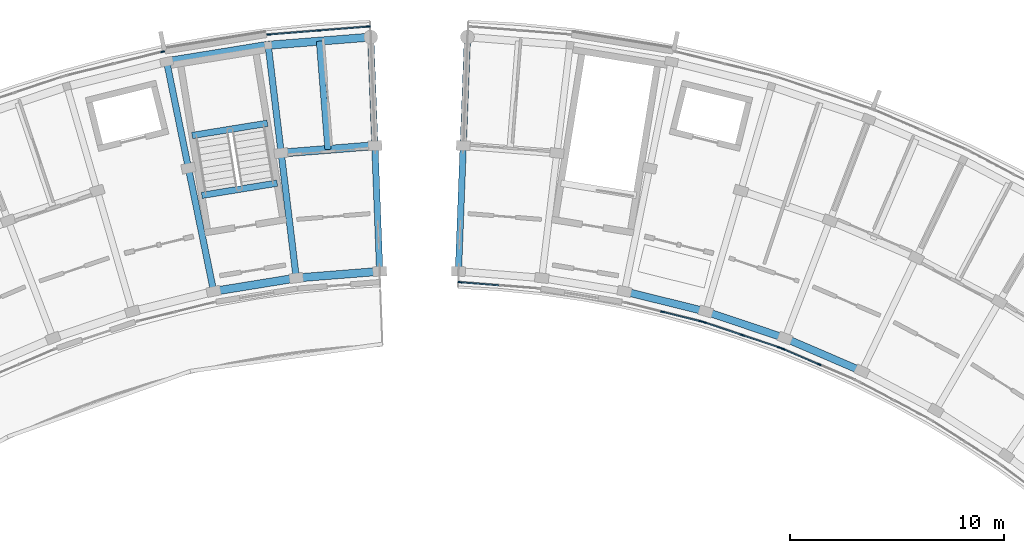
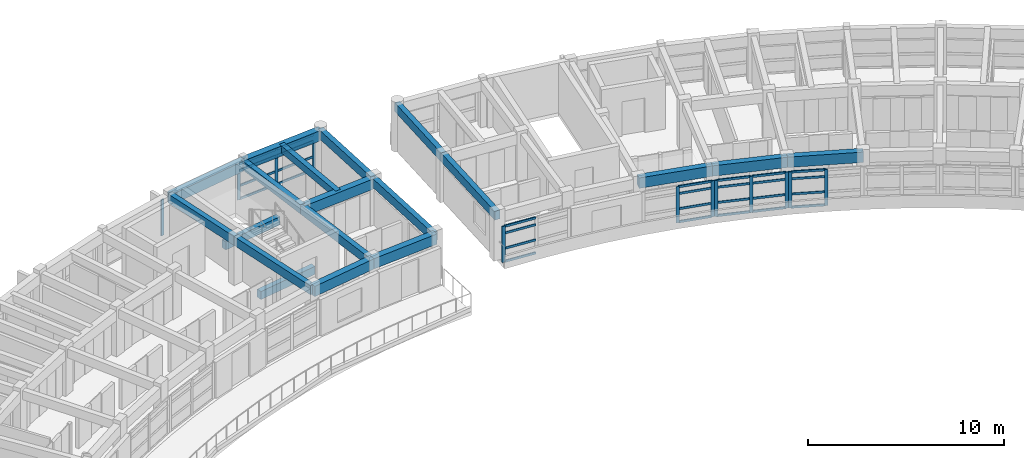
# One storey, part 5 of 23: 40 members, 19 beams, 6 elements without a shape of their own.
"""IFC4 building model written with IfcOpenShell, lengths in metres."""

from ifc_helpers import new_model, si_unit, direction, frame, origin, origin_2d, place, context, subcontext, project, spatial, rectangle, extrude, material, material_profile, profile_set, type_object, element, aggregate, save


model = new_model("IFC4")

# Units and contexts
model_context = context("Model", 3, precision=1e-05, world=origin(), true_north=direction((0.0, 1.0)))
body_context = subcontext(model_context, "Body", "Model", "MODEL_VIEW")
ifc_project = project(units=[si_unit("LENGTHUNIT", "METRE"), si_unit("AREAUNIT", "SQUARE_METRE"), si_unit("VOLUMEUNIT", "CUBIC_METRE"), si_unit("PLANEANGLEUNIT", "RADIAN"), si_unit("MASSUNIT", "GRAM", prefix="KILO")], contexts=[model_context])

# Site, building, storey
site_placement = place(None, origin())
site = spatial("IfcSite", under=ifc_project, at=site_placement, CompositionType="ELEMENT")
building_placement = place(site_placement, origin())
building = spatial("IfcBuilding", under=site, at=building_placement, Name="Zimvara Arc Housing Community", CompositionType="ELEMENT")
storey_placement = place(building_placement, frame((0.0, 0.0, 36.0)))
storey = spatial("IfcBuildingStorey", under=building, at=storey_placement, Name="L11", CompositionType="ELEMENT", Elevation=36.0)

# Beams
ifc_material_1 = material(Name="Concrete C40/50", Category="concrete")
ifc_material_profile_1 = material_profile(ifc_material_1, rectangle(XDim=0.300048828125, YDim=0.449951171875, at=origin_2d()), Name="RC 300x450")
ifc_profile_set_1 = profile_set([ifc_material_profile_1], Name="Concrete C40/50")
beam_type_1 = type_object("IfcBeamType", Name="BM-RC-300x450", PredefinedType="JOIST", material=ifc_profile_set_1)
beam_1_placement = place(storey_placement, frame((40.7451171875, 98.08642578125, 2.64501953125), z_axis=(-0.079171686291, 0.99686099537, 0.0), x_axis=(-0.99686099537, -0.079171686291, 0.0)))
element("IfcBeam", 1, at=beam_1_placement, inside=storey, type_object=beam_type_1, Name="bm:blkA:L11:joist:b9", PredefinedType="JOIST", context=body_context, shape_type="SweptSolid", body=[
    extrude(rectangle(XDim=0.300048828125, YDim=0.449951171875, at=origin_2d()), origin(), (0.0, 0.0, 1.0), 5.07568359375),
])
ifc_material_2 = material(Name="Concrete C40/50", Category="concrete")
ifc_material_profile_2 = material_profile(ifc_material_2, rectangle(XDim=0.300048828125, YDim=0.5, at=origin_2d()), Name="RC 300x500")
ifc_profile_set_2 = profile_set([ifc_material_profile_2], Name="Concrete C40/50")
beam_type_2 = type_object("IfcBeamType", Name="BM-RC-300x500", PredefinedType="BEAM", material=ifc_profile_set_2)
for number, where, z_axis, x_axis, name in (
    (2, (38.3662109375, 96.509033203125, -0.25), (-0.987080057935, -0.160227835371, 0.0), (0.160227835371, -0.987080057935, 0.0), "bm:stair_trim:ST-A2:L11:near"),
    (3, (37.911865234375, 99.307373046875, 1.300048828125), (-0.987080057935, -0.160227835371, 0.0), (0.160227835371, -0.987080057935, 0.0), "bm:stair_trim:ST-A2:L11:mid"),
):
    element("IfcBeam", number, at=place(storey_placement, frame(where, z_axis=z_axis, x_axis=x_axis)), inside=storey, type_object=beam_type_2, Name=name, PredefinedType="BEAM", context=body_context, shape_type="SweptSolid", body=[
        extrude(rectangle(XDim=0.300048828125, YDim=0.5, at=origin_2d()), origin(), (0.0, 0.0, 1.0), 3.570068359375),
    ])
ifc_material_3 = material(Name="Concrete C40/50", Category="concrete")
ifc_material_profile_3 = material_profile(ifc_material_3, rectangle(XDim=0.300048828125, YDim=0.550048828125, at=origin_2d()), Name="RC 300x550")
ifc_profile_set_3 = profile_set([ifc_material_profile_3], Name="Concrete C40/50")
beam_type_3 = type_object("IfcBeamType", Name="BM-RC-300x550", PredefinedType="BEAM", material=ifc_profile_set_3)
beam_2_placement = place(storey_placement, frame((35.397216796875, 91.447998046875, 2.594970703125), z_axis=(-0.200417973989, 0.979710485655, 0.0), x_axis=(-0.979710485655, -0.200417973989, 0.0)))
element("IfcBeam", 4, at=beam_2_placement, inside=storey, type_object=beam_type_3, Name="bm:blkA:L11:rad:b8:r12", PredefinedType="BEAM", context=body_context, shape_type="SweptSolid", body=[
    extrude(rectangle(XDim=0.300048828125, YDim=0.550048828125, at=origin_2d()), origin(), (0.0, 0.0, 1.0), 5.880126953125),
])
beam_3_placement = place(storey_placement, frame((34.21875, 97.208740234375, 2.594970703125), z_axis=(-0.200411962389, 0.97971171542, 0.0), x_axis=(-0.97971171542, -0.200411962389, 0.0)))
element("IfcBeam", 5, at=beam_3_placement, inside=storey, type_object=beam_type_3, Name="bm:blkA:L11:rad:b8:r23", PredefinedType="BEAM", context=body_context, shape_type="SweptSolid", body=[
    extrude(rectangle(XDim=0.300048828125, YDim=0.550048828125, at=origin_2d()), origin(), (0.0, 0.0, 1.0), 5.079833984375),
])
beam_4_placement = place(storey_placement, frame((39.259765625, 92.074951171875, 2.594970703125), z_axis=(-0.119827921695, 0.992794676246, 0.0), x_axis=(-0.992794676246, -0.119827921695, 0.0)))
element("IfcBeam", 6, at=beam_4_placement, inside=storey, type_object=beam_type_3, Name="bm:blkA:L11:rad:b9:r12", PredefinedType="BEAM", context=body_context, shape_type="SweptSolid", body=[
    extrude(rectangle(XDim=0.300048828125, YDim=0.550048828125, at=origin_2d()), origin(), (0.0, 0.0, 1.0), 5.880126953125),
])
beam_5_placement = place(storey_placement, frame((38.55517578125, 97.91259765625, 2.594970703125), z_axis=(-0.119762990499, 0.99280251113, 0.0), x_axis=(-0.99280251113, -0.119762990499, 0.0)))
element("IfcBeam", 7, at=beam_5_placement, inside=storey, type_object=beam_type_3, Name="bm:blkA:L11:rad:b9:r23", PredefinedType="BEAM", context=body_context, shape_type="SweptSolid", body=[
    extrude(rectangle(XDim=0.300048828125, YDim=0.550048828125, at=origin_2d()), origin(), (0.0, 0.0, 1.0), 5.080078125),
])
beam_6_placement = place(storey_placement, frame((43.160400390625, 92.384765625, 2.594970703125), z_axis=(-0.038366147405, 0.999263748333, 0.0), x_axis=(-0.999263748333, -0.038366147405, 0.0)))
element("IfcBeam", 8, at=beam_6_placement, inside=storey, type_object=beam_type_3, Name="bm:blkA:L11:rad:b10:r12", PredefinedType="BEAM", context=body_context, shape_type="SweptSolid", body=[
    extrude(rectangle(XDim=0.300048828125, YDim=0.550048828125, at=origin_2d()), origin(), (0.0, 0.0, 1.0), 5.8798828125),
])
beam_7_placement = place(storey_placement, frame((42.934814453125, 98.26025390625, 2.594970703125), z_axis=(-0.038398054907, 0.999262522753, 0.0), x_axis=(-0.999262522753, -0.038398054907, 0.0)))
element("IfcBeam", 9, at=beam_7_placement, inside=storey, type_object=beam_type_3, Name="bm:blkA:L11:rad:b10:r23", PredefinedType="BEAM", context=body_context, shape_type="SweptSolid", body=[
    extrude(rectangle(XDim=0.300048828125, YDim=0.550048828125, at=origin_2d()), origin(), (0.0, 0.0, 1.0), 5.080078125),
])
beam_8_placement = place(storey_placement, frame((46.839599609375, 92.384765625, 2.64501953125), z_axis=(0.038366147405, 0.999263748333, 0.0), x_axis=(-0.999263748333, 0.038366147405, 0.0)))
element("IfcBeam", 10, at=beam_8_placement, inside=storey, type_object=beam_type_3, Name="bm:blkB:L11:rad:b0:r12", PredefinedType="BEAM", context=body_context, shape_type="SweptSolid", body=[
    extrude(rectangle(XDim=0.300048828125, YDim=0.550048828125, at=origin_2d()), origin(), (0.0, 0.0, 1.0), 5.8798828125),
])
beam_9_placement = place(storey_placement, frame((47.065185546875, 98.26025390625, 2.64501953125), z_axis=(0.038398054907, 0.999262522753, 0.0), x_axis=(-0.999262522753, 0.038398054907, 0.0)))
element("IfcBeam", 11, at=beam_9_placement, inside=storey, type_object=beam_type_3, Name="bm:blkB:L11:rad:b0:r23", PredefinedType="BEAM", context=body_context, shape_type="SweptSolid", body=[
    extrude(rectangle(XDim=0.300048828125, YDim=0.550048828125, at=origin_2d()), origin(), (0.0, 0.0, 1.0), 5.080078125),
])
ifc_material_4 = material(Name="Concrete C40/50", Category="concrete")
ifc_material_profile_4 = material_profile(ifc_material_4, rectangle(XDim=0.35009765625, YDim=0.64990234375, at=origin_2d()), Name="RC 350x650")
ifc_profile_set_4 = profile_set([ifc_material_profile_4], Name="Concrete C40/50")
beam_type_4 = type_object("IfcBeamType", Name="BM-RC-350x650", PredefinedType="BEAM", material=ifc_profile_set_4)
for number, where, z_axis, x_axis, name in (
    (12, (54.602783203125, 91.447998046875, 2.594970703125), (0.970708671682, -0.240259598602, 0.0), (0.240259598602, 0.970708671682, 0.0), "bm:blkB:L11:chord:r1:b2"),
    (13, (58.4013671875, 90.5078125, 2.594970703125), (0.947881689069, -0.31862250945, 0.0), (0.31862250945, 0.947881689069, 0.0), "bm:blkB:L11:chord:r1:b3"),
    (14, (62.110595703125, 89.260986328125, 2.594970703125), (0.91873144242, -0.394882940514, 0.0), (0.394882940514, 0.91873144242, 0.0), "bm:blkB:L11:chord:r1:b4"),
):
    element("IfcBeam", number, at=place(storey_placement, frame(where, z_axis=z_axis, x_axis=x_axis)), inside=storey, type_object=beam_type_4, Name=name, PredefinedType="BEAM", context=body_context, shape_type="SweptSolid", body=[
        extrude(rectangle(XDim=0.35009765625, YDim=0.64990234375, at=origin_2d()), origin(), (0.0, 0.0, 1.0), 3.9130859375),
    ])
ifc_material_5 = material(Name="Concrete C40/50", Category="concrete")
ifc_material_profile_5 = material_profile(ifc_material_5, rectangle(XDim=0.3798828125, YDim=0.639892578125, at=origin_2d()), Name="RC 380x640")
ifc_profile_set_5 = profile_set([ifc_material_profile_5], Name="Concrete C40/50")
beam_type_5 = type_object("IfcBeamType", Name="BM-RC-380x640", PredefinedType="BEAM", material=ifc_profile_set_5)
beam_10_placement = place(storey_placement, frame((35.397216796875, 91.447998046875, 2.550048828125), z_axis=(0.987081487371, 0.160219029111, 0.0), x_axis=(-0.160219029111, 0.987081487371, 0.0)))
element("IfcBeam", 15, at=beam_10_placement, inside=storey, type_object=beam_type_5, Name="bm:blkA:L11:chord:r1:b8", PredefinedType="BEAM", context=body_context, shape_type="SweptSolid", body=[
    extrude(rectangle(XDim=0.3798828125, YDim=0.639892578125, at=origin_2d()), origin(), (0.0, 0.0, 1.0), 3.9130859375),
])
beam_11_placement = place(storey_placement, frame((39.259765625, 92.074951171875, 2.550048828125), z_axis=(0.99686054795, 0.079177319606, 0.0), x_axis=(-0.079177319606, 0.99686054795, 0.0)))
element("IfcBeam", 16, at=beam_11_placement, inside=storey, type_object=beam_type_5, Name="bm:blkA:L11:chord:r1:b9", PredefinedType="BEAM", context=body_context, shape_type="SweptSolid", body=[
    extrude(rectangle(XDim=0.3798828125, YDim=0.639892578125, at=origin_2d()), origin(), (0.0, 0.0, 1.0), 3.912841796875),
])
beam_12_placement = place(storey_placement, frame((38.55517578125, 97.91259765625, 2.550048828125), z_axis=(0.996864209836, 0.079131202119, 0.0), x_axis=(-0.079131202119, 0.996864209836, 0.0)))
element("IfcBeam", 17, at=beam_12_placement, inside=storey, type_object=beam_type_5, Name="bm:blkA:L11:chord:r2:b9", PredefinedType="BEAM", context=body_context, shape_type="SweptSolid", body=[
    extrude(rectangle(XDim=0.3798828125, YDim=0.639892578125, at=origin_2d()), origin(), (0.0, 0.0, 1.0), 4.393310546875),
])
beam_13_placement = place(storey_placement, frame((33.20068359375, 102.185546875, 2.550048828125), z_axis=(0.987076839731, 0.160247659784, 0.0), x_axis=(-0.160247659784, 0.987076839731, 0.0)))
element("IfcBeam", 18, at=beam_13_placement, inside=storey, type_object=beam_type_5, Name="bm:blkA:L11:chord:r3:b8", PredefinedType="BEAM", context=body_context, shape_type="SweptSolid", body=[
    extrude(rectangle(XDim=0.3798828125, YDim=0.639892578125, at=origin_2d()), origin(), (0.0, 0.0, 1.0), 4.808349609375),
])
beam_14_placement = place(storey_placement, frame((37.94677734375, 102.9560546875, 2.550048828125), z_axis=(0.996861768207, 0.0791619548, 0.0), x_axis=(-0.0791619548, 0.996861768207, 0.0)))
element("IfcBeam", 19, at=beam_14_placement, inside=storey, type_object=beam_type_5, Name="bm:blkA:L11:chord:r3:b9", PredefinedType="BEAM", context=body_context, shape_type="SweptSolid", body=[
    extrude(rectangle(XDim=0.3798828125, YDim=0.639892578125, at=origin_2d()), origin(), (0.0, 0.0, 1.0), 4.80810546875),
])

# Curtain wall, member
ifc_material_6 = material(Name="Anodised Aluminium AW-6063", Category="aluminium")
curtain_wall_type_1 = type_object("IfcCurtainWallType", Name="CW-SYS-08", PredefinedType="USERDEFINED", material=ifc_material_6)
curtain_wall_1_placement = place(storey_placement, origin())
curtain_wall_1 = element("IfcCurtainWall", 20, at=curtain_wall_1_placement, inside=storey, type_object=curtain_wall_type_1, Name="cw:blkA:L11:out:b7", ObjectType="CURTAIN WALL", PredefinedType="USERDEFINED")
ifc_material_7 = material(Name="Anodised Aluminium AW-6063", Category="aluminium")
ifc_material_profile_6 = material_profile(ifc_material_7, rectangle(XDim=0.06494140625, YDim=0.179931640625, at=origin_2d()), Name="ALU 65x180")
ifc_profile_set_6 = profile_set([ifc_material_profile_6], Name="Anodised Aluminium AW-6063")
member_type_1 = type_object("IfcMemberType", Name="CWM-65x150", PredefinedType="MULLION", material=ifc_profile_set_6)
member_1_placement = place(storey_placement, frame((33.0107421875, 102.6533203125, 0.0), z_axis=(0.0, 0.0, 1.0), x_axis=(-0.240229711131, 0.970716068627, 0.0)))
member_1 = element("IfcMember", 21, at=member_1_placement, type_object=member_type_1, Name="CW08 mullion 3", PredefinedType="MULLION", context=body_context, shape_type="SweptSolid", body=[
    extrude(rectangle(XDim=0.06494140625, YDim=0.179931640625, at=origin_2d()), origin(), (0.0, 0.0, 1.0), 2.25),
])
aggregate(curtain_wall_1, [member_1])

# Curtain wall, members
ifc_material_8 = material(Name="Anodised Aluminium AW-6063", Category="aluminium")
curtain_wall_type_2 = type_object("IfcCurtainWallType", Name="CW-SYS-02", PredefinedType="USERDEFINED", material=ifc_material_8)
curtain_wall_2_placement = place(storey_placement, origin())
curtain_wall_2 = element("IfcCurtainWall", 22, at=curtain_wall_2_placement, inside=storey, type_object=curtain_wall_type_2, Name="cw:blkA:L11:out:b9", ObjectType="CURTAIN WALL", PredefinedType="USERDEFINED")
member_2_placement = place(storey_placement, frame((37.97900390625, 103.459716796875, 0.0), z_axis=(0.0, 0.0, 1.0), x_axis=(-0.079153759607, 0.996862418963, 0.0)))
member_2 = element("IfcMember", 23, at=member_2_placement, type_object=member_type_1, Name="CW02 mullion 1", PredefinedType="MULLION", context=body_context, shape_type="SweptSolid", body=[
    extrude(rectangle(XDim=0.06494140625, YDim=0.179931640625, at=origin_2d()), origin(), (0.0, 0.0, 1.0), 2.25),
])
member_3_placement = place(storey_placement, frame((40.3037109375, 103.644287109375, 0.0), z_axis=(0.0, 0.0, 1.0), x_axis=(-0.079153759607, 0.996862418963, 0.0)))
member_3 = element("IfcMember", 24, at=member_3_placement, type_object=member_type_1, Name="CW02 mullion 2", PredefinedType="MULLION", context=body_context, shape_type="SweptSolid", body=[
    extrude(rectangle(XDim=0.06494140625, YDim=0.179931640625, at=origin_2d()), origin(), (0.0, 0.0, 1.0), 2.25),
])
member_4_placement = place(storey_placement, frame((42.62841796875, 103.828857421875, 0.0), z_axis=(0.0, 0.0, 1.0), x_axis=(-0.079153759607, 0.996862418963, 0.0)))
member_4 = element("IfcMember", 25, at=member_4_placement, type_object=member_type_1, Name="CW02 mullion 3", PredefinedType="MULLION", context=body_context, shape_type="SweptSolid", body=[
    extrude(rectangle(XDim=0.06494140625, YDim=0.179931640625, at=origin_2d()), origin(), (0.0, 0.0, 1.0), 2.25),
])

# Curtain wall, member
ifc_material_9 = material(Name="Anodised Aluminium AW-6063", Category="aluminium")
curtain_wall_type_3 = type_object("IfcCurtainWallType", Name="CW-SYS-06", PredefinedType="USERDEFINED", material=ifc_material_9)
curtain_wall_3_placement = place(storey_placement, origin())
curtain_wall_3 = element("IfcCurtainWall", 26, at=curtain_wall_3_placement, inside=storey, type_object=curtain_wall_type_3, Name="cw:blkB:L11:in:b0", ObjectType="CURTAIN WALL", PredefinedType="USERDEFINED")
member_5_placement = place(storey_placement, frame((46.91259765625, 91.877685546875, 0.0), z_axis=(0.0, 0.0, 1.0), x_axis=(0.079155101851, 0.996862312384, 0.0)))
member_5 = element("IfcMember", 27, at=member_5_placement, type_object=member_type_1, Name="CW06 mullion 1", PredefinedType="MULLION", context=body_context, shape_type="SweptSolid", body=[
    extrude(rectangle(XDim=0.06494140625, YDim=0.179931640625, at=origin_2d()), origin(), (0.0, 0.0, 1.0), 2.25),
])

# Curtain wall, members
curtain_wall_4_placement = place(storey_placement, origin())
curtain_wall_4 = element("IfcCurtainWall", 28, at=curtain_wall_4_placement, inside=storey, type_object=curtain_wall_type_1, Name="cw:blkB:L11:in:b2", ObjectType="CURTAIN WALL", PredefinedType="USERDEFINED")
member_6_placement = place(storey_placement, frame((56.382080078125, 90.492919921875, 0.0), z_axis=(0.0, 0.0, 1.0), x_axis=(0.240229186313, 0.970716198507, 0.0)))
member_6 = element("IfcMember", 29, at=member_6_placement, type_object=member_type_1, Name="CW08 mullion 2", PredefinedType="MULLION", context=body_context, shape_type="SweptSolid", body=[
    extrude(rectangle(XDim=0.06494140625, YDim=0.179931640625, at=origin_2d()), origin(), (0.0, 0.0, 1.0), 2.25),
])
member_7_placement = place(storey_placement, frame((58.171630859375, 90.050048828125, 0.0), z_axis=(0.0, 0.0, 1.0), x_axis=(0.240229186313, 0.970716198507, 0.0)))
member_7 = element("IfcMember", 30, at=member_7_placement, type_object=member_type_1, Name="CW08 mullion 3", PredefinedType="MULLION", context=body_context, shape_type="SweptSolid", body=[
    extrude(rectangle(XDim=0.06494140625, YDim=0.179931640625, at=origin_2d()), origin(), (0.0, 0.0, 1.0), 2.25),
])

curtain_wall_5_placement = place(storey_placement, origin())
curtain_wall_5 = element("IfcCurtainWall", 31, at=curtain_wall_5_placement, inside=storey, type_object=curtain_wall_type_2, Name="cw:blkB:L11:in:b3", ObjectType="CURTAIN WALL", PredefinedType="USERDEFINED")
member_8_placement = place(storey_placement, frame((58.34912109375, 89.998291015625, 0.0), z_axis=(0.0, 0.0, 1.0), x_axis=(0.318626909491, 0.94788021002, 0.0)))
member_8 = element("IfcMember", 32, at=member_8_placement, type_object=member_type_1, Name="CW02 mullion 1", PredefinedType="MULLION", context=body_context, shape_type="SweptSolid", body=[
    extrude(rectangle(XDim=0.06494140625, YDim=0.179931640625, at=origin_2d()), origin(), (0.0, 0.0, 1.0), 2.25),
])
member_9_placement = place(storey_placement, frame((60.0966796875, 89.410888671875, 0.0), z_axis=(0.0, 0.0, 1.0), x_axis=(0.318626909491, 0.94788021002, 0.0)))
member_9 = element("IfcMember", 33, at=member_9_placement, type_object=member_type_1, Name="CW02 mullion 2", PredefinedType="MULLION", context=body_context, shape_type="SweptSolid", body=[
    extrude(rectangle(XDim=0.06494140625, YDim=0.179931640625, at=origin_2d()), origin(), (0.0, 0.0, 1.0), 2.25),
])
member_10_placement = place(storey_placement, frame((61.84423828125, 88.823486328125, 0.0), z_axis=(0.0, 0.0, 1.0), x_axis=(0.318626909491, 0.94788021002, 0.0)))
member_10 = element("IfcMember", 34, at=member_10_placement, type_object=member_type_1, Name="CW02 mullion 3", PredefinedType="MULLION", context=body_context, shape_type="SweptSolid", body=[
    extrude(rectangle(XDim=0.06494140625, YDim=0.179931640625, at=origin_2d()), origin(), (0.0, 0.0, 1.0), 2.25),
])

ifc_material_10 = material(Name="Anodised Aluminium AW-6063", Category="aluminium")
curtain_wall_type_4 = type_object("IfcCurtainWallType", Name="CW-SYS-04", PredefinedType="USERDEFINED", material=ifc_material_10)
curtain_wall_6_placement = place(storey_placement, origin())
curtain_wall_6 = element("IfcCurtainWall", 35, at=curtain_wall_6_placement, inside=storey, type_object=curtain_wall_type_4, Name="cw:blkB:L11:in:b4", ObjectType="CURTAIN WALL", PredefinedType="USERDEFINED")
member_11_placement = place(storey_placement, frame((62.016845703125, 88.757568359375, 0.0), z_axis=(0.0, 0.0, 1.0), x_axis=(0.394903951674, 0.918722411261, 0.0)))
member_11 = element("IfcMember", 36, at=member_11_placement, type_object=member_type_1, Name="CW04 mullion 1", PredefinedType="MULLION", context=body_context, shape_type="SweptSolid", body=[
    extrude(rectangle(XDim=0.06494140625, YDim=0.179931640625, at=origin_2d()), origin(), (0.0, 0.0, 1.0), 2.25),
])
member_12_placement = place(storey_placement, frame((63.710693359375, 88.029541015625, 0.0), z_axis=(0.0, 0.0, 1.0), x_axis=(0.394903951674, 0.918722411261, 0.0)))
member_12 = element("IfcMember", 37, at=member_12_placement, type_object=member_type_1, Name="CW04 mullion 2", PredefinedType="MULLION", context=body_context, shape_type="SweptSolid", body=[
    extrude(rectangle(XDim=0.06494140625, YDim=0.179931640625, at=origin_2d()), origin(), (0.0, 0.0, 1.0), 2.25),
])

# Member
ifc_material_11 = material(Name="Anodised Aluminium AW-6063", Category="aluminium")
ifc_material_profile_7 = material_profile(ifc_material_11, rectangle(XDim=0.06494140625, YDim=0.139892578125, at=origin_2d()), Name="ALU 65x140")
ifc_profile_set_7 = profile_set([ifc_material_profile_7], Name="Anodised Aluminium AW-6063")
member_type_2 = type_object("IfcMemberType", Name="CWT-65x120", PredefinedType="USERDEFINED", material=ifc_profile_set_7)
member_13_placement = place(storey_placement, frame((38.011474609375, 103.46240234375, 0.032470703125), z_axis=(0.996862021022, 0.079158771116, 0.0), x_axis=(-0.079158771116, 0.996862021022, 0.0)))
member_13 = element("IfcMember", 38, at=member_13_placement, type_object=member_type_2, Name="CW02 transom 1.1", ObjectType="TRANSOM", PredefinedType="USERDEFINED", context=body_context, shape_type="SweptSolid", body=[
    extrude(rectangle(XDim=0.06494140625, YDim=0.139892578125, at=origin_2d()), origin(), (0.0, 0.0, 1.0), 2.266845703125),
])

member_14_placement = place(storey_placement, frame((38.011474609375, 103.46240234375, 0.85009765625), z_axis=(0.996862021022, 0.079158771116, 0.0), x_axis=(-0.079158771116, 0.996862021022, 0.0)))
member_14 = element("IfcMember", 39, at=member_14_placement, type_object=member_type_2, Name="CW02 transom 1.2", ObjectType="TRANSOM", PredefinedType="USERDEFINED", context=body_context, shape_type="SweptSolid", body=[
    extrude(rectangle(XDim=0.06494140625, YDim=0.139892578125, at=origin_2d()), origin(), (0.0, 0.0, 1.0), 2.266845703125),
])

member_15_placement = place(storey_placement, frame((38.011474609375, 103.46240234375, 1.800048828125), z_axis=(0.996862021022, 0.079158771116, 0.0), x_axis=(-0.079158771116, 0.996862021022, 0.0)))
member_15 = element("IfcMember", 40, at=member_15_placement, type_object=member_type_2, Name="CW02 transom 1.3", ObjectType="TRANSOM", PredefinedType="USERDEFINED", context=body_context, shape_type="SweptSolid", body=[
    extrude(rectangle(XDim=0.06494140625, YDim=0.139892578125, at=origin_2d()), origin(), (0.0, 0.0, 1.0), 2.266845703125),
])

member_16_placement = place(storey_placement, frame((38.011474609375, 103.46240234375, 2.217529296875), z_axis=(0.996862021022, 0.079158771116, 0.0), x_axis=(-0.079158771116, 0.996862021022, 0.0)))
member_16 = element("IfcMember", 41, at=member_16_placement, type_object=member_type_2, Name="CW02 transom 1.4", ObjectType="TRANSOM", PredefinedType="USERDEFINED", context=body_context, shape_type="SweptSolid", body=[
    extrude(rectangle(XDim=0.06494140625, YDim=0.139892578125, at=origin_2d()), origin(), (0.0, 0.0, 1.0), 2.266845703125),
])

member_17_placement = place(storey_placement, frame((40.336181640625, 103.64697265625, 0.032470703125), z_axis=(0.996862021022, 0.079158771116, 0.0), x_axis=(-0.079158771116, 0.996862021022, 0.0)))
member_17 = element("IfcMember", 42, at=member_17_placement, type_object=member_type_2, Name="CW02 transom 2.1", ObjectType="TRANSOM", PredefinedType="USERDEFINED", context=body_context, shape_type="SweptSolid", body=[
    extrude(rectangle(XDim=0.06494140625, YDim=0.139892578125, at=origin_2d()), origin(), (0.0, 0.0, 1.0), 2.266845703125),
])

member_18_placement = place(storey_placement, frame((40.336181640625, 103.64697265625, 0.85009765625), z_axis=(0.996862021022, 0.079158771116, 0.0), x_axis=(-0.079158771116, 0.996862021022, 0.0)))
member_18 = element("IfcMember", 43, at=member_18_placement, type_object=member_type_2, Name="CW02 transom 2.2", ObjectType="TRANSOM", PredefinedType="USERDEFINED", context=body_context, shape_type="SweptSolid", body=[
    extrude(rectangle(XDim=0.06494140625, YDim=0.139892578125, at=origin_2d()), origin(), (0.0, 0.0, 1.0), 2.266845703125),
])

member_19_placement = place(storey_placement, frame((40.336181640625, 103.64697265625, 1.800048828125), z_axis=(0.996862021022, 0.079158771116, 0.0), x_axis=(-0.079158771116, 0.996862021022, 0.0)))
member_19 = element("IfcMember", 44, at=member_19_placement, type_object=member_type_2, Name="CW02 transom 2.3", ObjectType="TRANSOM", PredefinedType="USERDEFINED", context=body_context, shape_type="SweptSolid", body=[
    extrude(rectangle(XDim=0.06494140625, YDim=0.139892578125, at=origin_2d()), origin(), (0.0, 0.0, 1.0), 2.266845703125),
])

member_20_placement = place(storey_placement, frame((40.336181640625, 103.64697265625, 2.217529296875), z_axis=(0.996862021022, 0.079158771116, 0.0), x_axis=(-0.079158771116, 0.996862021022, 0.0)))
member_20 = element("IfcMember", 45, at=member_20_placement, type_object=member_type_2, Name="CW02 transom 2.4", ObjectType="TRANSOM", PredefinedType="USERDEFINED", context=body_context, shape_type="SweptSolid", body=[
    extrude(rectangle(XDim=0.06494140625, YDim=0.139892578125, at=origin_2d()), origin(), (0.0, 0.0, 1.0), 2.266845703125),
])

aggregate(curtain_wall_2, [member_2, member_3, member_4, member_13, member_14, member_15, member_16, member_17, member_18, member_19, member_20])

member_21_placement = place(storey_placement, frame((46.945068359375, 91.875244140625, 0.032470703125), z_axis=(0.996858342942, -0.079205076271, 0.0), x_axis=(0.079205076271, 0.996858342942, 0.0)))
member_21 = element("IfcMember", 46, at=member_21_placement, type_object=member_type_2, Name="CW06 transom 1.1", ObjectType="TRANSOM", PredefinedType="USERDEFINED", context=body_context, shape_type="SweptSolid", body=[
    extrude(rectangle(XDim=0.06494140625, YDim=0.139892578125, at=origin_2d()), origin(), (0.0, 0.0, 1.0), 1.778564453125),
])

member_22_placement = place(storey_placement, frame((46.945068359375, 91.875244140625, 0.85009765625), z_axis=(0.996858342942, -0.079205076271, 0.0), x_axis=(0.079205076271, 0.996858342942, 0.0)))
member_22 = element("IfcMember", 47, at=member_22_placement, type_object=member_type_2, Name="CW06 transom 1.2", ObjectType="TRANSOM", PredefinedType="USERDEFINED", context=body_context, shape_type="SweptSolid", body=[
    extrude(rectangle(XDim=0.06494140625, YDim=0.139892578125, at=origin_2d()), origin(), (0.0, 0.0, 1.0), 1.778564453125),
])

member_23_placement = place(storey_placement, frame((46.945068359375, 91.875244140625, 1.800048828125), z_axis=(0.996858342942, -0.079205076271, 0.0), x_axis=(0.079205076271, 0.996858342942, 0.0)))
member_23 = element("IfcMember", 48, at=member_23_placement, type_object=member_type_2, Name="CW06 transom 1.3", ObjectType="TRANSOM", PredefinedType="USERDEFINED", context=body_context, shape_type="SweptSolid", body=[
    extrude(rectangle(XDim=0.06494140625, YDim=0.139892578125, at=origin_2d()), origin(), (0.0, 0.0, 1.0), 1.778564453125),
])

member_24_placement = place(storey_placement, frame((46.945068359375, 91.875244140625, 2.217529296875), z_axis=(0.996858342942, -0.079205076271, 0.0), x_axis=(0.079205076271, 0.996858342942, 0.0)))
member_24 = element("IfcMember", 49, at=member_24_placement, type_object=member_type_2, Name="CW06 transom 1.4", ObjectType="TRANSOM", PredefinedType="USERDEFINED", context=body_context, shape_type="SweptSolid", body=[
    extrude(rectangle(XDim=0.06494140625, YDim=0.139892578125, at=origin_2d()), origin(), (0.0, 0.0, 1.0), 1.778564453125),
])

aggregate(curtain_wall_3, [member_5, member_21, member_22, member_23, member_24])

member_25_placement = place(storey_placement, frame((56.41357421875, 90.485107421875, 0.032470703125), z_axis=(0.970721060666, -0.240209538485, 0.0), x_axis=(0.240209538485, 0.970721060666, 0.0)))
member_25 = element("IfcMember", 50, at=member_25_placement, type_object=member_type_2, Name="CW08 transom 2.1", ObjectType="TRANSOM", PredefinedType="USERDEFINED", context=body_context, shape_type="SweptSolid", body=[
    extrude(rectangle(XDim=0.06494140625, YDim=0.139892578125, at=origin_2d()), origin(), (0.0, 0.0, 1.0), 1.778564453125),
])

member_26_placement = place(storey_placement, frame((56.41357421875, 90.485107421875, 0.85009765625), z_axis=(0.970721060666, -0.240209538485, 0.0), x_axis=(0.240209538485, 0.970721060666, 0.0)))
member_26 = element("IfcMember", 51, at=member_26_placement, type_object=member_type_2, Name="CW08 transom 2.2", ObjectType="TRANSOM", PredefinedType="USERDEFINED", context=body_context, shape_type="SweptSolid", body=[
    extrude(rectangle(XDim=0.06494140625, YDim=0.139892578125, at=origin_2d()), origin(), (0.0, 0.0, 1.0), 1.778564453125),
])

member_27_placement = place(storey_placement, frame((56.41357421875, 90.485107421875, 1.800048828125), z_axis=(0.970721060666, -0.240209538485, 0.0), x_axis=(0.240209538485, 0.970721060666, 0.0)))
member_27 = element("IfcMember", 52, at=member_27_placement, type_object=member_type_2, Name="CW08 transom 2.3", ObjectType="TRANSOM", PredefinedType="USERDEFINED", context=body_context, shape_type="SweptSolid", body=[
    extrude(rectangle(XDim=0.06494140625, YDim=0.139892578125, at=origin_2d()), origin(), (0.0, 0.0, 1.0), 1.778564453125),
])

member_28_placement = place(storey_placement, frame((56.41357421875, 90.485107421875, 2.217529296875), z_axis=(0.970721060666, -0.240209538485, 0.0), x_axis=(0.240209538485, 0.970721060666, 0.0)))
member_28 = element("IfcMember", 53, at=member_28_placement, type_object=member_type_2, Name="CW08 transom 2.4", ObjectType="TRANSOM", PredefinedType="USERDEFINED", context=body_context, shape_type="SweptSolid", body=[
    extrude(rectangle(XDim=0.06494140625, YDim=0.139892578125, at=origin_2d()), origin(), (0.0, 0.0, 1.0), 1.778564453125),
])

aggregate(curtain_wall_4, [member_6, member_7, member_25, member_26, member_27, member_28])

member_29_placement = place(storey_placement, frame((58.380126953125, 89.988037109375, 0.032470703125), z_axis=(0.947884095882, -0.318615349246, 0.0), x_axis=(0.318615349246, 0.947884095882, 0.0)))
member_29 = element("IfcMember", 54, at=member_29_placement, type_object=member_type_2, Name="CW02 transom 1.1", ObjectType="TRANSOM", PredefinedType="USERDEFINED", context=body_context, shape_type="SweptSolid", body=[
    extrude(rectangle(XDim=0.06494140625, YDim=0.139892578125, at=origin_2d()), origin(), (0.0, 0.0, 1.0), 1.778564453125),
])

member_30_placement = place(storey_placement, frame((58.380126953125, 89.988037109375, 0.85009765625), z_axis=(0.947884095882, -0.318615349246, 0.0), x_axis=(0.318615349246, 0.947884095882, 0.0)))
member_30 = element("IfcMember", 55, at=member_30_placement, type_object=member_type_2, Name="CW02 transom 1.2", ObjectType="TRANSOM", PredefinedType="USERDEFINED", context=body_context, shape_type="SweptSolid", body=[
    extrude(rectangle(XDim=0.06494140625, YDim=0.139892578125, at=origin_2d()), origin(), (0.0, 0.0, 1.0), 1.778564453125),
])

member_31_placement = place(storey_placement, frame((58.380126953125, 89.988037109375, 1.800048828125), z_axis=(0.947884095882, -0.318615349246, 0.0), x_axis=(0.318615349246, 0.947884095882, 0.0)))
member_31 = element("IfcMember", 56, at=member_31_placement, type_object=member_type_2, Name="CW02 transom 1.3", ObjectType="TRANSOM", PredefinedType="USERDEFINED", context=body_context, shape_type="SweptSolid", body=[
    extrude(rectangle(XDim=0.06494140625, YDim=0.139892578125, at=origin_2d()), origin(), (0.0, 0.0, 1.0), 1.778564453125),
])

member_32_placement = place(storey_placement, frame((58.380126953125, 89.988037109375, 2.217529296875), z_axis=(0.947884095882, -0.318615349246, 0.0), x_axis=(0.318615349246, 0.947884095882, 0.0)))
member_32 = element("IfcMember", 57, at=member_32_placement, type_object=member_type_2, Name="CW02 transom 1.4", ObjectType="TRANSOM", PredefinedType="USERDEFINED", context=body_context, shape_type="SweptSolid", body=[
    extrude(rectangle(XDim=0.06494140625, YDim=0.139892578125, at=origin_2d()), origin(), (0.0, 0.0, 1.0), 1.778564453125),
])

member_33_placement = place(storey_placement, frame((60.127685546875, 89.400634765625, 0.032470703125), z_axis=(0.947884095882, -0.318615349246, 0.0), x_axis=(0.318615349246, 0.947884095882, 0.0)))
member_33 = element("IfcMember", 58, at=member_33_placement, type_object=member_type_2, Name="CW02 transom 2.1", ObjectType="TRANSOM", PredefinedType="USERDEFINED", context=body_context, shape_type="SweptSolid", body=[
    extrude(rectangle(XDim=0.06494140625, YDim=0.139892578125, at=origin_2d()), origin(), (0.0, 0.0, 1.0), 1.778564453125),
])

member_34_placement = place(storey_placement, frame((60.127685546875, 89.400634765625, 0.85009765625), z_axis=(0.947884095882, -0.318615349246, 0.0), x_axis=(0.318615349246, 0.947884095882, 0.0)))
member_34 = element("IfcMember", 59, at=member_34_placement, type_object=member_type_2, Name="CW02 transom 2.2", ObjectType="TRANSOM", PredefinedType="USERDEFINED", context=body_context, shape_type="SweptSolid", body=[
    extrude(rectangle(XDim=0.06494140625, YDim=0.139892578125, at=origin_2d()), origin(), (0.0, 0.0, 1.0), 1.778564453125),
])

member_35_placement = place(storey_placement, frame((60.127685546875, 89.400634765625, 1.800048828125), z_axis=(0.947884095882, -0.318615349246, 0.0), x_axis=(0.318615349246, 0.947884095882, 0.0)))
member_35 = element("IfcMember", 60, at=member_35_placement, type_object=member_type_2, Name="CW02 transom 2.3", ObjectType="TRANSOM", PredefinedType="USERDEFINED", context=body_context, shape_type="SweptSolid", body=[
    extrude(rectangle(XDim=0.06494140625, YDim=0.139892578125, at=origin_2d()), origin(), (0.0, 0.0, 1.0), 1.778564453125),
])

member_36_placement = place(storey_placement, frame((60.127685546875, 89.400634765625, 2.217529296875), z_axis=(0.947884095882, -0.318615349246, 0.0), x_axis=(0.318615349246, 0.947884095882, 0.0)))
member_36 = element("IfcMember", 61, at=member_36_placement, type_object=member_type_2, Name="CW02 transom 2.4", ObjectType="TRANSOM", PredefinedType="USERDEFINED", context=body_context, shape_type="SweptSolid", body=[
    extrude(rectangle(XDim=0.06494140625, YDim=0.139892578125, at=origin_2d()), origin(), (0.0, 0.0, 1.0), 1.778564453125),
])

aggregate(curtain_wall_5, [member_8, member_9, member_10, member_29, member_30, member_31, member_32, member_33, member_34, member_35, member_36])

member_37_placement = place(storey_placement, frame((62.046875, 88.74462890625, 0.032470703125), z_axis=(0.918718495938, -0.394913060334, 0.0), x_axis=(0.394913060334, 0.918718495938, 0.0)))
member_37 = element("IfcMember", 62, at=member_37_placement, type_object=member_type_2, Name="CW04 transom 1.1", ObjectType="TRANSOM", PredefinedType="USERDEFINED", context=body_context, shape_type="SweptSolid", body=[
    extrude(rectangle(XDim=0.06494140625, YDim=0.139892578125, at=origin_2d()), origin(), (0.0, 0.0, 1.0), 1.778564453125),
])

member_38_placement = place(storey_placement, frame((62.046875, 88.74462890625, 0.85009765625), z_axis=(0.918718495938, -0.394913060334, 0.0), x_axis=(0.394913060334, 0.918718495938, 0.0)))
member_38 = element("IfcMember", 63, at=member_38_placement, type_object=member_type_2, Name="CW04 transom 1.2", ObjectType="TRANSOM", PredefinedType="USERDEFINED", context=body_context, shape_type="SweptSolid", body=[
    extrude(rectangle(XDim=0.06494140625, YDim=0.139892578125, at=origin_2d()), origin(), (0.0, 0.0, 1.0), 1.778564453125),
])

member_39_placement = place(storey_placement, frame((62.046875, 88.74462890625, 1.800048828125), z_axis=(0.918718495938, -0.394913060334, 0.0), x_axis=(0.394913060334, 0.918718495938, 0.0)))
member_39 = element("IfcMember", 64, at=member_39_placement, type_object=member_type_2, Name="CW04 transom 1.3", ObjectType="TRANSOM", PredefinedType="USERDEFINED", context=body_context, shape_type="SweptSolid", body=[
    extrude(rectangle(XDim=0.06494140625, YDim=0.139892578125, at=origin_2d()), origin(), (0.0, 0.0, 1.0), 1.778564453125),
])

member_40_placement = place(storey_placement, frame((62.046875, 88.74462890625, 2.217529296875), z_axis=(0.918718495938, -0.394913060334, 0.0), x_axis=(0.394913060334, 0.918718495938, 0.0)))
member_40 = element("IfcMember", 65, at=member_40_placement, type_object=member_type_2, Name="CW04 transom 1.4", ObjectType="TRANSOM", PredefinedType="USERDEFINED", context=body_context, shape_type="SweptSolid", body=[
    extrude(rectangle(XDim=0.06494140625, YDim=0.139892578125, at=origin_2d()), origin(), (0.0, 0.0, 1.0), 1.778564453125),
])

aggregate(curtain_wall_6, [member_11, member_12, member_37, member_38, member_39, member_40])

save(model, "model.ifc")
